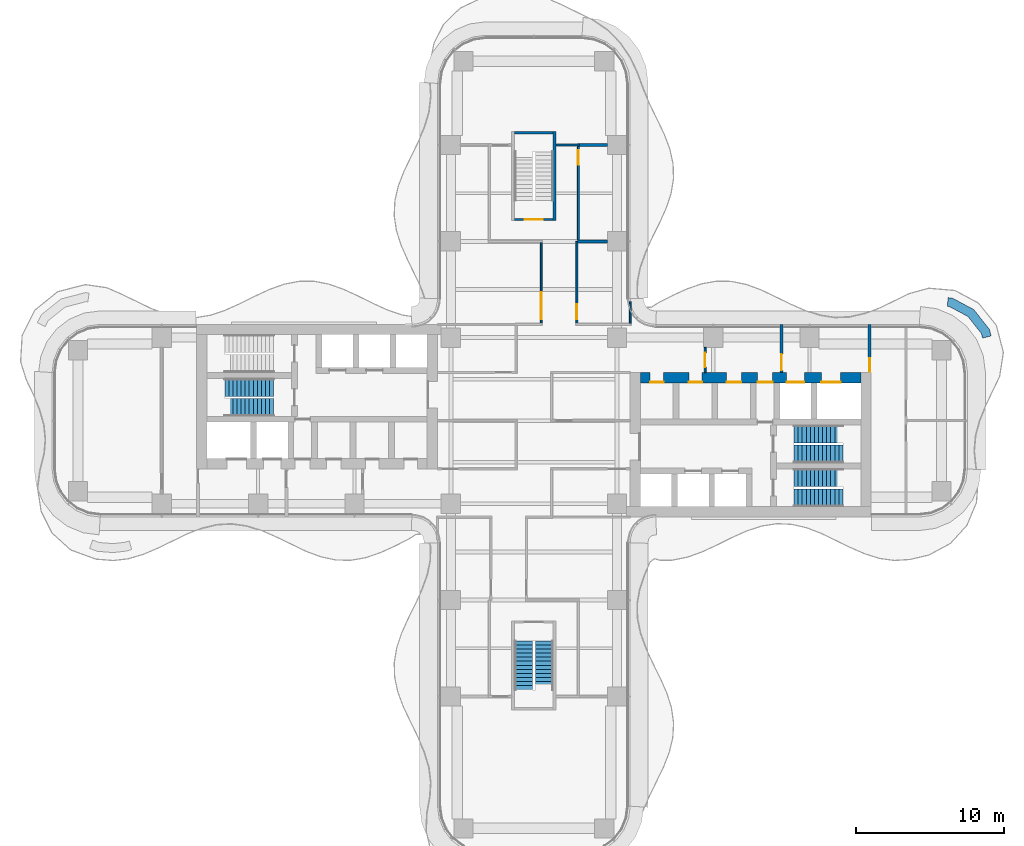
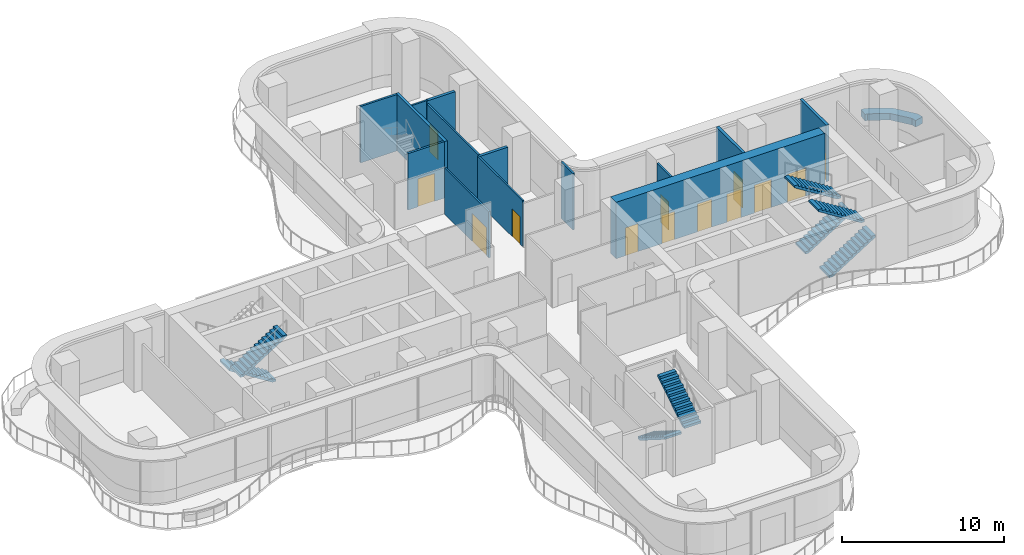
# One storey, part 18 of 21: 15 walls, 13 doors, 8 stair flights, 13 openings, 4 elements without a shape of their own.
"""IFC4 building model written with IfcOpenShell, lengths in metres."""

import ifcopenshell
import ifcopenshell.guid

model = None  # the IFC model being written
_history = None  # IfcOwnerHistory: only IFC2X3 demands one
_inside = {}  # id of a spatial element -> (the spatial element, [elements in it])
_under = {}  # id of a project, library or spatial element -> (it, [spatial elements below it])
_declared = {}  # id of a project -> (the project, [libraries it declares])
_typed = {}  # id of a type object -> (the type object, [elements of that type])
_made_of = {}  # id of a material, layer set ... -> (it, [elements and type objects made of it])


def new_model(schema):
    """Start an empty IFC model of exactly this schema.

    Asked for "IFC4X3", IfcOpenShell would pick the latest addendum, in which some entities
    have other attributes; the version numbers below select the first issue.
    IFC2X3 requires an IfcOwnerHistory on every rooted entity: one is made here for all.
    """
    global model, _history
    if schema == "IFC4X3":
        model = ifcopenshell.file(schema_version=(4, 3, 0, 0))
    else:
        model = ifcopenshell.file(schema=schema)
    _inside.clear()
    _under.clear()
    _declared.clear()
    _typed.clear()
    _made_of.clear()
    _history = None
    if model.schema == "IFC2X3":
        org = make("IfcOrganization", Name="unknown")
        user = make(
            "IfcPersonAndOrganization",
            ThePerson=make("IfcPerson", FamilyName="unknown"),
            TheOrganization=org,
        )
        app = make(
            "IfcApplication",
            ApplicationDeveloper=org,
            Version="unknown",
            ApplicationFullName="unknown",
            ApplicationIdentifier="unknown",
        )
        _history = make(
            "IfcOwnerHistory",
            OwningUser=user,
            OwningApplication=app,
            ChangeAction="ADDED",
            CreationDate=0,
        )
    return model


def make(cls, **values):
    """One entity of the class cls with the attributes given. An attribute that is None is left unset."""
    return model.create_entity(
        cls, **{name: value for name, value in values.items() if value is not None}
    )


def rooted(cls, **values):
    """An entity with a GlobalId (a new one), such as an element, a storey or a relation."""
    return make(cls, GlobalId=ifcopenshell.guid.new(), OwnerHistory=_history, **values)


def si_unit(unit_type, name, prefix=None):
    """IfcSIUnit, for example si_unit("LENGTHUNIT", "METRE", prefix="MILLI")."""
    return make("IfcSIUnit", UnitType=unit_type, Prefix=prefix, Name=name)


def assignment(units):
    """IfcUnitAssignment: the units of a project."""
    return None if units is None else make("IfcUnitAssignment", Units=units)


def point(xyz):
    """IfcCartesianPoint."""
    return None if xyz is None else make("IfcCartesianPoint", Coordinates=xyz)


def direction(xyz):
    """IfcDirection."""
    return None if xyz is None else make("IfcDirection", DirectionRatios=xyz)


def frame(location, z_axis=None, x_axis=None):
    """IfcAxis2Placement3D, a coordinate frame: its origin and axes. An axis left out is left unset."""
    return make(
        "IfcAxis2Placement3D",
        Location=point(location),
        Axis=direction(z_axis),
        RefDirection=direction(x_axis),
    )


def frame_2d(location, x_axis=None):
    """IfcAxis2Placement2D, a coordinate frame in the plane: its origin and x axis."""
    return make(
        "IfcAxis2Placement2D", Location=point(location), RefDirection=direction(x_axis)
    )


def origin():
    """The frame at (0, 0, 0) with its axes left unset."""
    return frame((0.0, 0.0, 0.0))


def place(relative_to, where):
    """IfcLocalPlacement: puts the frame where relative to a parent placement (None: the world)."""
    return make(
        "IfcLocalPlacement", PlacementRelTo=relative_to, RelativePlacement=where
    )


def context(
    kind, dimensions, precision=None, world=None, true_north=None, identifier=None
):
    """IfcGeometricRepresentationContext, for example the 3D "Model" context."""
    return make(
        "IfcGeometricRepresentationContext",
        ContextIdentifier=identifier,
        ContextType=kind,
        CoordinateSpaceDimension=dimensions,
        Precision=precision,
        WorldCoordinateSystem=world,
        TrueNorth=true_north,
    )


def subcontext(parent, identifier, kind, view, scale=None):
    """IfcGeometricRepresentationSubContext, for example "Body" below "Model"."""
    return make(
        "IfcGeometricRepresentationSubContext",
        ContextIdentifier=identifier,
        ContextType=kind,
        ParentContext=parent,
        TargetScale=scale,
        TargetView=view,
    )


def project(units=None, contexts=None):
    """IfcProject with its units and contexts."""
    return rooted(
        "IfcProject",
        Name="project",
        RepresentationContexts=contexts,
        UnitsInContext=assignment(units),
    )


def spatial(cls, under=None, at=None, **own):
    """A site, building, storey or space (cls), placed at a placement, below another one or the project."""
    s = rooted(cls, ObjectPlacement=at, **own)
    if under is not None:
        _under.setdefault(under.id(), (under, []))[1].append(s)
    return s


def polyline(points):
    """IfcPolyline through the points."""
    return make("IfcPolyline", Points=[point(p) for p in points])


def profile(cls, at=None, kind="AREA", **sizes):
    """A parametric profile (cls). Its sizes go by their IFC names, for example OverallWidth=200.0."""
    return make(cls, ProfileType=kind, Position=at, **sizes)


def rectangle(**sizes):
    """IfcRectangleProfileDef."""
    return profile("IfcRectangleProfileDef", **sizes)


def outline(outer, holes=None, kind="AREA"):
    """IfcArbitraryClosedProfileDef: a profile drawn as a closed curve; with holes, ...WithVoids."""
    if holes is None:
        return make("IfcArbitraryClosedProfileDef", ProfileType=kind, OuterCurve=outer)
    return make(
        "IfcArbitraryProfileDefWithVoids",
        ProfileType=kind,
        OuterCurve=outer,
        InnerCurves=holes,
    )


def extrude(swept, where, along, depth):
    """IfcExtrudedAreaSolid: the profile swept, set in the frame where, extruded along a direction by depth."""
    return make(
        "IfcExtrudedAreaSolid",
        SweptArea=swept,
        Position=where,
        ExtrudedDirection=direction(along),
        Depth=depth,
    )


def shape(context_of_items, identifier, shape_type, items):
    """IfcShapeRepresentation: the items that make up one representation, for example the "Body"."""
    return make(
        "IfcShapeRepresentation",
        ContextOfItems=context_of_items,
        RepresentationIdentifier=identifier,
        RepresentationType=shape_type,
        Items=items,
    )


def source(mapping_origin, context_of_items, identifier, shape_type, items):
    """IfcRepresentationMap: a shape defined once, which mapped items show again and again."""
    return make(
        "IfcRepresentationMap",
        MappingOrigin=mapping_origin,
        MappedRepresentation=shape(context_of_items, identifier, shape_type, items),
    )


def transform(
    local_origin,
    x_axis=None,
    y_axis=None,
    z_axis=None,
    scale=None,
    scale2=None,
    scale3=None,
    uniform=True,
):
    """IfcCartesianTransformationOperator3D, or its non-uniform kind. x_axis, y_axis, z_axis: its Axis1, 2, 3."""
    if uniform:
        return make(
            "IfcCartesianTransformationOperator3D",
            Axis1=direction(x_axis),
            Axis2=direction(y_axis),
            LocalOrigin=point(local_origin),
            Scale=scale,
            Axis3=direction(z_axis),
        )
    return make(
        "IfcCartesianTransformationOperator3DnonUniform",
        Axis1=direction(x_axis),
        Axis2=direction(y_axis),
        LocalOrigin=point(local_origin),
        Scale=scale,
        Axis3=direction(z_axis),
        Scale2=scale2,
        Scale3=scale3,
    )


def mapped(mapping_source, mapping_target):
    """IfcMappedItem: shows the shape of a source again, moved by a transform."""
    return make(
        "IfcMappedItem", MappingSource=mapping_source, MappingTarget=mapping_target
    )


def material(Name=None, Category=None):
    """IfcMaterial."""
    return make("IfcMaterial", Name=Name, Category=Category)


def layer(
    of_material, thickness, ventilated=None, Name=None, Category=None, Priority=None
):
    """IfcMaterialLayer: one layer of a wall or slab, of a material (None: an air gap)."""
    return make(
        "IfcMaterialLayer",
        Material=of_material,
        LayerThickness=thickness,
        IsVentilated=ventilated,
        Name=Name,
        Category=Category,
        Priority=Priority,
    )


def layer_set(layers, Name=None):
    """IfcMaterialLayerSet."""
    return make("IfcMaterialLayerSet", MaterialLayers=layers, LayerSetName=Name)


def made_of(thing, what):
    """Note that an element or type object is made of a material, layer set ...; save() writes the relation."""
    if what is not None:
        _made_of.setdefault(what.id(), (what, []))[1].append(thing)
    return thing


def type_object(cls, material=None, **own):
    """A type object (cls), such as IfcWallType, which elements share."""
    return made_of(rooted(cls, **own), material)


def element(
    cls,
    number,
    at=None,
    inside=None,
    cuts=None,
    type_object=None,
    material=None,
    context=None,
    identifier="Body",
    shape_type=None,
    held_by="IfcProductDefinitionShape",
    body=None,
    shapes=None,
    **own,
):
    """One element of the class cls, such as IfcWall. Its Tag is "e" and its number.

    at: its placement. inside: the storey or other place that contains it. cuts: it is an
    opening in that element (IfcRelVoidsElement). A single representation is given by context,
    identifier, shape_type and body (its items); several are given by shapes. held_by: the class
    of the entity that holds the representations. save() writes the other relations.
    """
    e = rooted(cls, Tag="e%d" % number, ObjectPlacement=at, **own)
    if body is not None:
        shapes = [shape(context, identifier, shape_type, body)]
    if shapes is not None:
        e.Representation = make(held_by, Representations=shapes)
    if inside is not None:
        _inside.setdefault(inside.id(), (inside, []))[1].append(e)
    if cuts is not None:
        rooted(
            "IfcRelVoidsElement", RelatingBuildingElement=cuts, RelatedOpeningElement=e
        )
    if type_object is not None:
        _typed.setdefault(type_object.id(), (type_object, []))[1].append(e)
    return made_of(e, material)


def fill(opening, filler):
    """IfcRelFillsElement: the door or window that sits in an opening."""
    return rooted(
        "IfcRelFillsElement",
        RelatingOpeningElement=opening,
        RelatedBuildingElement=filler,
    )


def aggregate(whole, parts):
    """IfcRelAggregates: a whole, such as a stair, and the parts it consists of."""
    return rooted("IfcRelAggregates", RelatingObject=whole, RelatedObjects=parts)


def save(model, path):
    """Write the relations noted so far, then the file.

    IfcRelAggregates (storeys below a building ...), IfcRelContainedInSpatialStructure (elements
    in a storey), IfcRelDefinesByType, IfcRelAssociatesMaterial and IfcRelDeclares: one each for
    every whole, place, type object, material and project.
    """
    for whole, parts in _under.values():
        aggregate(whole, parts)
    for where, things in _inside.values():
        rooted(
            "IfcRelContainedInSpatialStructure",
            RelatedElements=things,
            RelatingStructure=where,
        )
    for kind, things in _typed.values():
        rooted("IfcRelDefinesByType", RelatedObjects=things, RelatingType=kind)
    for what, things in _made_of.values():
        rooted("IfcRelAssociatesMaterial", RelatedObjects=things, RelatingMaterial=what)
    for by, libraries in _declared.values():
        rooted("IfcRelDeclares", RelatingContext=by, RelatedDefinitions=libraries)
    model.write(path)


model = new_model("IFC4")

# Units and contexts
model_context = context("Model", 3, precision=1e-05, world=origin(), true_north=direction((0.0, 1.0)))
body_context = subcontext(model_context, "Body", "Model", "MODEL_VIEW")
ifc_project = project(units=[si_unit("LENGTHUNIT", "METRE"), si_unit("AREAUNIT", "SQUARE_METRE"), si_unit("VOLUMEUNIT", "CUBIC_METRE"), si_unit("PLANEANGLEUNIT", "RADIAN"), si_unit("MASSUNIT", "GRAM", prefix="KILO")], contexts=[model_context])

# Site, building, storey
site_placement = place(None, origin())
site = spatial("IfcSite", under=ifc_project, at=site_placement, CompositionType="ELEMENT")
building_placement = place(site_placement, origin())
building = spatial("IfcBuilding", under=site, at=building_placement, Name="Trellis Farm Tower", CompositionType="ELEMENT")
storey_placement = place(building_placement, frame((0.0, 0.0, 102.0)))
storey = spatial("IfcBuildingStorey", under=building, at=storey_placement, Name="L21", CompositionType="ELEMENT", Elevation=102.0)

# Wall
ifc_material_1 = material(Name="Sandstone faced masonry planter", Category="masonry")
ifc_layer_1 = layer(ifc_material_1, 0.60009765625)
ifc_layer_set_1 = layer_set([ifc_layer_1], Name="PLANTER BED 600")
wall_type_1 = type_object("IfcWallType", Name="PLANTER BED 600", PredefinedType="USERDEFINED", material=ifc_layer_set_1)
placement = place(storey_placement, origin())
element("IfcWall", 1, at=placement, inside=storey, type_object=wall_type_1, Name="PLANTER bed", ObjectType="PLANTER", PredefinedType="USERDEFINED", context=body_context, shape_type="SweptSolid", body=[
    extrude(outline(polyline([(29.673583984375, 7.49853515625), (30.734375, 6.1552734375), (30.843505859375, 5.717041015625), (30.26123046875, 5.572265625), (30.183349609375, 5.885009765625), (29.2802734375, 7.028564453125), (28.0478515625, 7.688232421875), (27.887451171875, 7.70263671875), (27.940673828125, 8.30029296875), (28.22314453125, 8.275146484375), (29.673583984375, 7.49853515625)])), origin(), (0.0, 0.0, 1.0), 0.5),
])

# Wall, opening, door
ifc_material_2 = material(Name="Masonry blockwork", Category="masonry")
ifc_layer_2 = layer(ifc_material_2, 0.199951171875)
ifc_layer_set_2 = layer_set([ifc_layer_2], Name="FIRE LOBBY PARTITION 200 BLOCKWORK")
wall_type_2 = type_object("IfcWallType", Name="FIRE LOBBY PARTITION 200 BLOCKWORK", PredefinedType="PARTITIONING", material=ifc_layer_set_2)
shared_shape_1 = source(origin(), body_context, "Body", "SweptSolid", [
    extrude(rectangle(XDim=3.25, YDim=0.199951171875, at=frame_2d((1.625, 0.0))), origin(), (0.0, 0.0, 1.0), 4.25),
])
wall_2_placement = place(storey_placement, frame((16.699951171875, 3.25, 0.0), z_axis=(0.0, 0.0, 1.0), x_axis=(0.0, 1.0, 0.0)))
wall_2 = element("IfcWall", 2, at=wall_2_placement, inside=storey, type_object=wall_type_2, Name="Fire-fighting lobby partition", PredefinedType="PARTITIONING", context=body_context, shape_type="MappedRepresentation", body=[
    mapped(shared_shape_1, transform((0.0, 0.0, 0.0))),
])
shared_shape_2 = source(origin(), body_context, "Body", "SweptSolid", [
    extrude(rectangle(XDim=1.10009765625, YDim=2.10009765625, at=frame_2d((0.550048828125, 1.050048828125))), frame((0.0, 0.110107421875, 0.0), z_axis=(0.0, -1.0, 0.0), x_axis=(1.0, 0.0, 0.0)), (0.0, 0.0, 1.0), 0.22021484375),
])
opening_1_placement = place(wall_2_placement, frame((0.14990234375, 0.0, 0.0)))
opening_1 = element("IfcOpeningElement", 3, at=opening_1_placement, cuts=wall_2, Name="Opening DC7", PredefinedType="OPENING", context=body_context, shape_type="MappedRepresentation", body=[
    mapped(shared_shape_2, transform((0.0, 0.0, 0.0))),
])
ifc_material_3 = material(Name="Steel", Category="steel")
door_type_1 = type_object("IfcDoorType", Name="CORE FIRE DOOR 1100 X 2100", OperationType="NOTDEFINED", PredefinedType="DOOR", material=ifc_material_3)
shared_shape_3 = source(origin(), body_context, "Body", "SweptSolid", [
    extrude(rectangle(XDim=1.10009765625, YDim=2.10009765625, at=frame_2d((0.550048828125, 1.050048828125))), frame((0.0, 0.02490234375, 0.0), z_axis=(0.0, -1.0, 0.0), x_axis=(1.0, 0.0, 0.0)), (0.0, 0.0, 1.0), 0.050048828125),
])
door_1_placement = place(opening_1_placement, origin())
door_1 = element("IfcDoor", 4, at=door_1_placement, inside=storey, type_object=door_type_1, Name="Core door", OperationType="SINGLE_SWING_RIGHT", OverallHeight=2.10009765625, OverallWidth=1.10009765625, PredefinedType="DOOR", context=body_context, shape_type="MappedRepresentation", body=[
    mapped(shared_shape_3, transform((0.0, 0.0, 0.0))),
])
fill(opening_1, door_1)

wall_3_placement = place(storey_placement, frame((22.64990234375, 3.25, 0.0), z_axis=(0.0, 0.0, 1.0), x_axis=(0.0, 1.0, 0.0)))
wall_3 = element("IfcWall", 5, at=wall_3_placement, inside=storey, type_object=wall_type_2, Name="Fire-fighting lobby partition", PredefinedType="PARTITIONING", context=body_context, shape_type="MappedRepresentation", body=[
    mapped(shared_shape_1, transform((0.0, 0.0, 0.0))),
])
shared_shape_4 = source(origin(), body_context, "Body", "SweptSolid", [
    extrude(rectangle(XDim=0.89990234375, YDim=2.10009765625, at=frame_2d((0.449951171875, 1.050048828125))), frame((0.0, 0.110107421875, 0.0), z_axis=(0.0, -1.0, 0.0), x_axis=(1.0, 0.0, 0.0)), (0.0, 0.0, 1.0), 0.22021484375),
])
opening_2_placement = place(wall_3_placement, frame((0.050048828125, 0.0, 0.0)))
opening_2 = element("IfcOpeningElement", 6, at=opening_2_placement, cuts=wall_3, Name="Opening DC8", PredefinedType="OPENING", context=body_context, shape_type="MappedRepresentation", body=[
    mapped(shared_shape_4, transform((0.0, 0.0, 0.0))),
])
door_type_2 = type_object("IfcDoorType", Name="CORE FIRE DOOR 900 X 2100", OperationType="NOTDEFINED", PredefinedType="DOOR", material=ifc_material_3)
shared_shape_5 = source(origin(), body_context, "Body", "SweptSolid", [
    extrude(rectangle(XDim=0.89990234375, YDim=2.10009765625, at=frame_2d((0.449951171875, 1.050048828125))), frame((0.0, 0.02490234375, 0.0), z_axis=(0.0, -1.0, 0.0), x_axis=(1.0, 0.0, 0.0)), (0.0, 0.0, 1.0), 0.050048828125),
])
door_2_placement = place(opening_2_placement, origin())
door_2 = element("IfcDoor", 7, at=door_2_placement, inside=storey, type_object=door_type_2, Name="Core door", OperationType="SINGLE_SWING_RIGHT", OverallHeight=2.10009765625, OverallWidth=0.89990234375, PredefinedType="DOOR", context=body_context, shape_type="MappedRepresentation", body=[
    mapped(shared_shape_5, transform((0.0, 0.0, 0.0))),
])
fill(opening_2, door_2)

# Wall, openings, doors
ifc_material_4 = material(Name="Concrete C70/85", Category="concrete")
ifc_layer_3 = layer(ifc_material_4, 0.699951171875)
ifc_layer_set_3 = layer_set([ifc_layer_3], Name="CORE OUTER WALL 700 CONCRETE C70/85")
wall_type_3 = type_object("IfcWallType", Name="CORE OUTER WALL 700 CONCRETE C70/85", PredefinedType="SHEAR", material=ifc_layer_set_3)
shared_shape_6 = source(origin(), body_context, "Body", "SweptSolid", [
    extrude(rectangle(XDim=14.85009765625, YDim=0.699951171875, at=frame_2d((7.425048828125, 0.0))), origin(), (0.0, 0.0, 1.0), 4.25),
])
wall_4_placement = place(storey_placement, frame((7.199951171875, 2.89990234375, 0.0), z_axis=(0.0, 0.0, 1.0), x_axis=(1.0, 0.0, 0.0)))
wall_4 = element("IfcWall", 8, at=wall_4_placement, inside=storey, type_object=wall_type_3, Name="Core wall", PredefinedType="SHEAR", context=body_context, shape_type="MappedRepresentation", body=[
    mapped(shared_shape_6, transform((0.0, 0.0, 0.0))),
])
shared_shape_7 = source(origin(), body_context, "Body", "SweptSolid", [
    extrude(rectangle(XDim=1.300048828125, YDim=2.10009765625, at=frame_2d((0.64990234375, 1.050048828125))), frame((0.0, 0.360107421875, 0.0), z_axis=(0.0, -1.0, 0.0), x_axis=(1.0, 0.0, 0.0)), (0.0, 0.0, 1.0), 0.72021484375),
])
opening_3_placement = place(wall_4_placement, frame((12.199951171875, 0.0, 0.0)))
opening_3 = element("IfcOpeningElement", 9, at=opening_3_placement, cuts=wall_4, Name="Opening LD7", PredefinedType="OPENING", context=body_context, shape_type="MappedRepresentation", body=[
    mapped(shared_shape_7, transform((0.0, 0.0, 0.0))),
])
shared_shape_8 = source(origin(), body_context, "Body", "SweptSolid", [
    extrude(rectangle(XDim=1.199951171875, YDim=2.10009765625, at=frame_2d((0.60009765625, 1.050048828125))), frame((0.0, 0.360107421875, 0.0), z_axis=(0.0, -1.0, 0.0), x_axis=(1.0, 0.0, 0.0)), (0.0, 0.0, 1.0), 0.72021484375),
])
opening_4_placement = place(wall_4_placement, frame((9.85009765625, 0.0, 0.0)))
opening_4 = element("IfcOpeningElement", 10, at=opening_4_placement, cuts=wall_4, Name="Opening LD8", PredefinedType="OPENING", context=body_context, shape_type="MappedRepresentation", body=[
    mapped(shared_shape_8, transform((0.0, 0.0, 0.0))),
])
shared_shape_9 = source(origin(), body_context, "Body", "SweptSolid", [
    extrude(rectangle(XDim=1.0, YDim=2.10009765625, at=frame_2d((0.5, 1.050048828125))), frame((0.0, 0.360107421875, 0.0), z_axis=(0.0, -1.0, 0.0), x_axis=(1.0, 0.0, 0.0)), (0.0, 0.0, 1.0), 0.72021484375),
])
opening_5_placement = place(wall_4_placement, frame((7.89990234375, 0.0, 0.0)))
opening_5 = element("IfcOpeningElement", 11, at=opening_5_placement, cuts=wall_4, Name="Opening DC6", PredefinedType="OPENING", context=body_context, shape_type="MappedRepresentation", body=[
    mapped(shared_shape_9, transform((0.0, 0.0, 0.0))),
])
shared_shape_10 = source(origin(), body_context, "Body", "SweptSolid", [
    extrude(rectangle(XDim=0.89990234375, YDim=2.10009765625, at=frame_2d((0.449951171875, 1.050048828125))), frame((0.0, 0.360107421875, 0.0), z_axis=(0.0, -1.0, 0.0), x_axis=(1.0, 0.0, 0.0)), (0.0, 0.0, 1.0), 0.72021484375),
])
opening_6_placement = place(wall_4_placement, frame((0.64990234375, 0.0, 0.0)))
opening_6 = element("IfcOpeningElement", 12, at=opening_6_placement, cuts=wall_4, Name="Opening DC11", PredefinedType="OPENING", context=body_context, shape_type="MappedRepresentation", body=[
    mapped(shared_shape_10, transform((0.0, 0.0, 0.0))),
])
opening_7_placement = place(wall_4_placement, frame((3.25, 0.0, 0.0)))
opening_7 = element("IfcOpeningElement", 13, at=opening_7_placement, cuts=wall_4, Name="Opening DC24", PredefinedType="OPENING", context=body_context, shape_type="MappedRepresentation", body=[
    mapped(shared_shape_10, transform((0.0, 0.0, 0.0))),
])
opening_8_placement = place(wall_4_placement, frame((5.800048828125, 0.0, 0.0)))
opening_8 = element("IfcOpeningElement", 14, at=opening_8_placement, cuts=wall_4, Name="Opening DC37", PredefinedType="OPENING", context=body_context, shape_type="MappedRepresentation", body=[
    mapped(shared_shape_9, transform((0.0, 0.0, 0.0))),
])
door_type_3 = type_object("IfcDoorType", Name="CORE FIRE DOOR 1000 X 2100", OperationType="NOTDEFINED", PredefinedType="DOOR", material=ifc_material_3)
shared_shape_11 = source(origin(), body_context, "Body", "SweptSolid", [
    extrude(rectangle(XDim=1.0, YDim=2.10009765625, at=frame_2d((0.5, 1.050048828125))), frame((0.0, -0.27490234375, 0.0), z_axis=(0.0, -1.0, 0.0), x_axis=(1.0, 0.0, 0.0)), (0.0, 0.0, 1.0), 0.050048828125),
])
door_3_placement = place(opening_5_placement, origin())
door_3 = element("IfcDoor", 15, at=door_3_placement, inside=storey, type_object=door_type_3, Name="Core door", OperationType="SINGLE_SWING_LEFT", OverallHeight=2.10009765625, OverallWidth=1.0, PredefinedType="DOOR", context=body_context, shape_type="MappedRepresentation", body=[
    mapped(shared_shape_11, transform((0.0, 0.0, 0.0))),
])
fill(opening_5, door_3)
door_4_placement = place(opening_8_placement, origin())
door_4 = element("IfcDoor", 16, at=door_4_placement, inside=storey, type_object=door_type_3, Name="Core door", OperationType="SINGLE_SWING_LEFT", OverallHeight=2.10009765625, OverallWidth=1.0, PredefinedType="DOOR", context=body_context, shape_type="MappedRepresentation", body=[
    mapped(shared_shape_11, transform((0.0, 0.0, 0.0))),
])
fill(opening_8, door_4)
shared_shape_12 = source(origin(), body_context, "Body", "SweptSolid", [
    extrude(rectangle(XDim=0.89990234375, YDim=2.10009765625, at=frame_2d((0.449951171875, 1.050048828125))), frame((0.0, -0.27490234375, 0.0), z_axis=(0.0, -1.0, 0.0), x_axis=(1.0, 0.0, 0.0)), (0.0, 0.0, 1.0), 0.050048828125),
])
door_5_placement = place(opening_6_placement, origin())
door_5 = element("IfcDoor", 17, at=door_5_placement, inside=storey, type_object=door_type_2, Name="Core door", OperationType="SINGLE_SWING_LEFT", OverallHeight=2.10009765625, OverallWidth=0.89990234375, PredefinedType="DOOR", context=body_context, shape_type="MappedRepresentation", body=[
    mapped(shared_shape_12, transform((0.0, 0.0, 0.0))),
])
fill(opening_6, door_5)
door_6_placement = place(opening_7_placement, origin())
door_6 = element("IfcDoor", 18, at=door_6_placement, inside=storey, type_object=door_type_2, Name="Core door", OperationType="SINGLE_SWING_RIGHT", OverallHeight=2.10009765625, OverallWidth=0.89990234375, PredefinedType="DOOR", context=body_context, shape_type="MappedRepresentation", body=[
    mapped(shared_shape_12, transform((0.0, 0.0, 0.0))),
])
fill(opening_7, door_6)
ifc_material_5 = material(Name="Stainless steel", Category="steel")
door_type_4 = type_object("IfcDoorType", Name="LIFT LANDING DOOR 1300 X 2100", OperationType="DOUBLE_DOOR_SLIDING", PredefinedType="DOOR", material=ifc_material_5)
shared_shape_13 = source(origin(), body_context, "Body", "SweptSolid", [
    extrude(rectangle(XDim=1.300048828125, YDim=2.10009765625, at=frame_2d((0.64990234375, 1.050048828125))), frame((0.0, -0.27490234375, 0.0), z_axis=(0.0, -1.0, 0.0), x_axis=(1.0, 0.0, 0.0)), (0.0, 0.0, 1.0), 0.050048828125),
])
door_7_placement = place(opening_3_placement, origin())
door_7 = element("IfcDoor", 19, at=door_7_placement, inside=storey, type_object=door_type_4, Name="Lift landing door", OperationType="DOUBLE_DOOR_SLIDING", OverallHeight=2.10009765625, OverallWidth=1.300048828125, PredefinedType="DOOR", context=body_context, shape_type="MappedRepresentation", body=[
    mapped(shared_shape_13, transform((0.0, 0.0, 0.0))),
])
fill(opening_3, door_7)
door_type_5 = type_object("IfcDoorType", Name="LIFT LANDING DOOR 1200 X 2100", OperationType="DOUBLE_DOOR_SLIDING", PredefinedType="DOOR", material=ifc_material_5)
shared_shape_14 = source(origin(), body_context, "Body", "SweptSolid", [
    extrude(rectangle(XDim=1.199951171875, YDim=2.10009765625, at=frame_2d((0.60009765625, 1.050048828125))), frame((0.0, -0.27490234375, 0.0), z_axis=(0.0, -1.0, 0.0), x_axis=(1.0, 0.0, 0.0)), (0.0, 0.0, 1.0), 0.050048828125),
])
door_8_placement = place(opening_4_placement, origin())
door_8 = element("IfcDoor", 20, at=door_8_placement, inside=storey, type_object=door_type_5, Name="Lift landing door", OperationType="DOUBLE_DOOR_SLIDING", OverallHeight=2.10009765625, OverallWidth=1.199951171875, PredefinedType="DOOR", context=body_context, shape_type="MappedRepresentation", body=[
    mapped(shared_shape_14, transform((0.0, 0.0, 0.0))),
])
fill(opening_4, door_8)

# Wall
ifc_layer_4 = layer(ifc_material_4, 0.199951171875)
ifc_layer_set_4 = layer_set([ifc_layer_4], Name="CORE STAIR ENCLOSURE WALL 200 CONCRETE C70/85")
wall_type_4 = type_object("IfcWallType", Name="CORE STAIR ENCLOSURE WALL 200 CONCRETE C70/85", PredefinedType="SHEAR", material=ifc_layer_set_4)
shared_shape_15 = source(origin(), body_context, "Body", "SweptSolid", [
    extrude(rectangle(XDim=6.0, YDim=0.199951171875, at=frame_2d((3.0, 0.0))), origin(), (0.0, 0.0, 1.0), 4.25),
])
wall_5_placement = place(storey_placement, frame((1.39990234375, 13.5, 0.0), z_axis=(0.0, 0.0, 1.0), x_axis=(0.0, 1.0, 0.0)))
element("IfcWall", 21, at=wall_5_placement, inside=storey, type_object=wall_type_4, Name="Stair enclosure wall", PredefinedType="SHEAR", context=body_context, shape_type="MappedRepresentation", body=[
    mapped(shared_shape_15, transform((0.0, 0.0, 0.0))),
])

# Wall, opening, door
ifc_layer_5 = layer(ifc_material_4, 0.14990234375)
ifc_layer_set_5 = layer_set([ifc_layer_5], Name="CORE STAIR ENCLOSURE WALL 150 CONCRETE C70/85")
wall_type_5 = type_object("IfcWallType", Name="CORE STAIR ENCLOSURE WALL 150 CONCRETE C70/85", PredefinedType="SHEAR", material=ifc_layer_set_5)
shared_shape_16 = source(origin(), body_context, "Body", "SweptSolid", [
    extrude(rectangle(XDim=2.60009765625, YDim=0.14990234375, at=frame_2d((1.300048828125, 0.0))), origin(), (0.0, 0.0, 1.0), 4.25),
])
wall_6_placement = place(storey_placement, frame((-1.300048828125, 13.574951171875, 0.0), z_axis=(0.0, 0.0, 1.0), x_axis=(1.0, 0.0, 0.0)))
wall_6 = element("IfcWall", 22, at=wall_6_placement, inside=storey, type_object=wall_type_5, Name="Stair enclosure wall", PredefinedType="SHEAR", context=body_context, shape_type="MappedRepresentation", body=[
    mapped(shared_shape_16, transform((0.0, 0.0, 0.0))),
])
shared_shape_17 = source(origin(), body_context, "Body", "SweptSolid", [
    extrude(rectangle(XDim=1.199951171875, YDim=2.10009765625, at=frame_2d((0.60009765625, 1.050048828125))), frame((0.0, 0.0849609375, 0.0), z_axis=(0.0, -1.0, 0.0), x_axis=(1.0, 0.0, 0.0)), (0.0, 0.0, 1.0), 0.169921875),
])
opening_9_placement = place(wall_6_placement, frame((0.699951171875, 0.0, 0.0)))
opening_9 = element("IfcOpeningElement", 23, at=opening_9_placement, cuts=wall_6, Name="Opening DC173", PredefinedType="OPENING", context=body_context, shape_type="MappedRepresentation", body=[
    mapped(shared_shape_17, transform((0.0, 0.0, 0.0))),
])
door_type_6 = type_object("IfcDoorType", Name="CORE FIRE DOOR 1200 X 2100", OperationType="NOTDEFINED", PredefinedType="DOOR", material=ifc_material_3)
shared_shape_18 = source(origin(), body_context, "Body", "SweptSolid", [
    extrude(rectangle(XDim=1.199951171875, YDim=2.10009765625, at=frame_2d((0.60009765625, 1.050048828125))), frame((0.0, 0.02490234375, 0.0), z_axis=(0.0, -1.0, 0.0), x_axis=(1.0, 0.0, 0.0)), (0.0, 0.0, 1.0), 0.050048828125),
])
door_9_placement = place(opening_9_placement, origin())
door_9 = element("IfcDoor", 24, at=door_9_placement, inside=storey, type_object=door_type_6, Name="Core door", OperationType="SINGLE_SWING_LEFT", OverallHeight=2.10009765625, OverallWidth=1.199951171875, PredefinedType="DOOR", context=body_context, shape_type="MappedRepresentation", body=[
    mapped(shared_shape_18, transform((0.0, 0.0, 0.0))),
])
fill(opening_9, door_9)

# Wall
wall_7_placement = place(storey_placement, frame((-1.300048828125, 19.425048828125, 0.0), z_axis=(0.0, 0.0, 1.0), x_axis=(1.0, 0.0, 0.0)))
element("IfcWall", 25, at=wall_7_placement, inside=storey, type_object=wall_type_5, Name="Stair enclosure wall", PredefinedType="SHEAR", context=body_context, shape_type="MappedRepresentation", body=[
    mapped(shared_shape_16, transform((0.0, 0.0, 0.0))),
])

# Wall, opening, door
ifc_material_6 = material(Name="Plasterboard on steel studs, mineral wool", Category="steel")
ifc_layer_6 = layer(ifc_material_6, 0.125)
ifc_layer_set_6 = layer_set([ifc_layer_6], Name="PARTITION 125 STUD EI 60")
wall_type_6 = type_object("IfcWallType", Name="PARTITION 125 STUD EI 60", PredefinedType="PARTITIONING", material=ifc_layer_set_6)
shared_shape_19 = source(origin(), body_context, "Body", "SweptSolid", [
    extrude(rectangle(XDim=5.47509765625, YDim=0.125, at=frame_2d((2.737548828125, 0.0))), origin(), (0.0, 0.0, 1.0), 3.4677734375),
])
wall_8_placement = place(storey_placement, frame((0.5, 12.03759765625, 0.0), z_axis=(0.0, 0.0, 1.0), x_axis=(0.0, -1.0, 0.0)))
wall_8 = element("IfcWall", 26, at=wall_8_placement, inside=storey, type_object=wall_type_6, Name="Partition PW1", PredefinedType="PARTITIONING", context=body_context, shape_type="MappedRepresentation", body=[
    mapped(shared_shape_19, transform((0.0, 0.0, 0.0))),
])
shared_shape_20 = source(origin(), body_context, "Body", "SweptSolid", [
    extrude(rectangle(XDim=1.800048828125, YDim=2.10009765625, at=frame_2d((0.89990234375, 1.050048828125))), frame((0.0, 0.072509765625, 0.0), z_axis=(0.0, -1.0, 0.0), x_axis=(1.0, 0.0, 0.0)), (0.0, 0.0, 1.0), 0.14501953125),
])
opening_10_placement = place(wall_8_placement, frame((3.387451171875, 0.0, 0.0)))
opening_10 = element("IfcOpeningElement", 27, at=opening_10_placement, cuts=wall_8, Name="Opening D201", PredefinedType="OPENING", context=body_context, shape_type="MappedRepresentation", body=[
    mapped(shared_shape_20, transform((0.0, 0.0, 0.0))),
])
ifc_material_7 = material(Name="Fire-rated timber door leaf in a hollow metal frame", Category="wood")
door_type_7 = type_object("IfcDoorType", Name="DOOR PAIR 1800x2100 FD30S", OperationType="NOTDEFINED", PredefinedType="DOOR", material=ifc_material_7)
shared_shape_21 = source(origin(), body_context, "Body", "SweptSolid", [
    extrude(rectangle(XDim=1.800048828125, YDim=2.10009765625, at=frame_2d((0.89990234375, 1.050048828125))), frame((0.0, 0.02490234375, 0.0), z_axis=(0.0, -1.0, 0.0), x_axis=(1.0, 0.0, 0.0)), (0.0, 0.0, 1.0), 0.050048828125),
])
door_10_placement = place(opening_10_placement, origin())
door_10 = element("IfcDoor", 28, at=door_10_placement, inside=storey, type_object=door_type_7, Name="Door D201", OperationType="DOUBLE_DOOR_SINGLE_SWING", OverallHeight=2.10009765625, OverallWidth=1.800048828125, PredefinedType="DOOR", context=body_context, shape_type="MappedRepresentation", body=[
    mapped(shared_shape_21, transform((0.0, 0.0, 0.0))),
])
fill(opening_10, door_10)

# Wall
shared_shape_22 = source(origin(), body_context, "Body", "SweptSolid", [
    extrude(rectangle(XDim=1.468994140625, YDim=0.125, at=frame_2d((0.734375, 0.0))), origin(), (0.0, 0.0, 1.0), 4.25),
])
wall_9_placement = place(storey_placement, frame((6.5, 6.5625, 0.0), z_axis=(0.0, 0.0, 1.0), x_axis=(0.0, 1.0, 0.0)))
element("IfcWall", 29, at=wall_9_placement, inside=storey, type_object=wall_type_6, Name="Partition PW1", PredefinedType="PARTITIONING", context=body_context, shape_type="MappedRepresentation", body=[
    mapped(shared_shape_22, transform((0.0, 0.0, 0.0))),
])

# Wall, opening, door
shared_shape_23 = source(origin(), body_context, "Body", "SweptSolid", [
    extrude(rectangle(XDim=6.300048828125, YDim=0.125, at=frame_2d((3.14990234375, 0.0))), origin(), (0.0, 0.0, 1.0), 3.4677734375),
])
wall_10_placement = place(storey_placement, frame((3.0, 18.5, 0.0), z_axis=(0.0, 0.0, 1.0), x_axis=(0.0, -1.0, 0.0)))
wall_10 = element("IfcWall", 30, at=wall_10_placement, inside=storey, type_object=wall_type_6, Name="Partition PW1", PredefinedType="PARTITIONING", context=body_context, shape_type="MappedRepresentation", body=[
    mapped(shared_shape_23, transform((0.0, 0.0, 0.0))),
])
shared_shape_24 = source(origin(), body_context, "Body", "SweptSolid", [
    extrude(rectangle(XDim=1.0, YDim=2.10009765625, at=frame_2d((0.5, 1.050048828125))), frame((0.0, 0.072509765625, 0.0), z_axis=(0.0, -1.0, 0.0), x_axis=(1.0, 0.0, 0.0)), (0.0, 0.0, 1.0), 0.14501953125),
])
opening_11_placement = place(wall_10_placement, frame((0.25, 0.0, 0.0)))
opening_11 = element("IfcOpeningElement", 31, at=opening_11_placement, cuts=wall_10, Name="Opening D304", PredefinedType="OPENING", context=body_context, shape_type="MappedRepresentation", body=[
    mapped(shared_shape_24, transform((0.0, 0.0, 0.0))),
])
door_type_8 = type_object("IfcDoorType", Name="DOOR 1000x2100 FD60", OperationType="NOTDEFINED", PredefinedType="DOOR", material=ifc_material_7)
shared_shape_25 = source(origin(), body_context, "Body", "SweptSolid", [
    extrude(rectangle(XDim=1.0, YDim=2.10009765625, at=frame_2d((0.5, 1.050048828125))), frame((0.0, 0.02490234375, 0.0), z_axis=(0.0, -1.0, 0.0), x_axis=(1.0, 0.0, 0.0)), (0.0, 0.0, 1.0), 0.050048828125),
])
door_11_placement = place(opening_11_placement, origin())
door_11 = element("IfcDoor", 32, at=door_11_placement, inside=storey, type_object=door_type_8, Name="Door D304", OperationType="SINGLE_SWING_LEFT", OverallHeight=2.10009765625, OverallWidth=1.0, PredefinedType="DOOR", context=body_context, shape_type="MappedRepresentation", body=[
    mapped(shared_shape_25, transform((0.0, 0.0, 0.0))),
])
fill(opening_11, door_11)

# Wall
shared_shape_26 = source(origin(), body_context, "Body", "SweptSolid", [
    extrude(rectangle(XDim=1.5625, YDim=0.125, at=frame_2d((0.78125, 0.0))), origin(), (0.0, 0.0, 1.0), 3.697021484375),
])
wall_11_placement = place(storey_placement, frame((1.5, 18.60009765625, 0.0), z_axis=(0.0, 0.0, 1.0), x_axis=(1.0, 0.0, 0.0)))
element("IfcWall", 33, at=wall_11_placement, inside=storey, type_object=wall_type_6, Name="Partition PW1", PredefinedType="PARTITIONING", context=body_context, shape_type="MappedRepresentation", body=[
    mapped(shared_shape_26, transform((0.0, 0.0, 0.0))),
])

# Wall, opening, door
shared_shape_27 = source(origin(), body_context, "Body", "SweptSolid", [
    extrude(rectangle(XDim=5.53759765625, YDim=0.125, at=frame_2d((2.768798828125, 0.0))), origin(), (0.0, 0.0, 1.0), 3.4677734375),
])
wall_12_placement = place(storey_placement, frame((2.89990234375, 12.10009765625, 0.0), z_axis=(0.0, 0.0, 1.0), x_axis=(0.0, -1.0, 0.0)))
wall_12 = element("IfcWall", 34, at=wall_12_placement, inside=storey, type_object=wall_type_6, Name="Partition PW1", PredefinedType="PARTITIONING", context=body_context, shape_type="MappedRepresentation", body=[
    mapped(shared_shape_27, transform((0.0, 0.0, 0.0))),
])
opening_12_placement = place(wall_12_placement, frame((4.25, 0.0, 0.0)))
opening_12 = element("IfcOpeningElement", 35, at=opening_12_placement, cuts=wall_12, Name="Opening D109", PredefinedType="OPENING", context=body_context, shape_type="MappedRepresentation", body=[
    mapped(shared_shape_24, transform((0.0, 0.0, 0.0))),
])
door_type_9 = type_object("IfcDoorType", Name="DOOR 1000x2100 FD30S", OperationType="NOTDEFINED", PredefinedType="DOOR", material=ifc_material_7)
door_12_placement = place(opening_12_placement, origin())
door_12 = element("IfcDoor", 36, at=door_12_placement, inside=storey, type_object=door_type_9, Name="Door D109", OperationType="SINGLE_SWING_RIGHT", OverallHeight=2.10009765625, OverallWidth=1.0, PredefinedType="DOOR", context=body_context, shape_type="MappedRepresentation", body=[
    mapped(shared_shape_25, transform((0.0, 0.0, 0.0))),
])
fill(opening_12, door_12)

shared_shape_28 = source(origin(), body_context, "Body", "SweptSolid", [
    extrude(rectangle(XDim=1.699951171875, YDim=0.125, at=frame_2d((0.85009765625, 0.0))), origin(), (0.0, 0.0, 1.0), 4.25),
])
wall_13_placement = place(storey_placement, frame((11.550048828125, 3.25, 0.0), z_axis=(0.0, 0.0, 1.0), x_axis=(0.0, 1.0, 0.0)))
wall_13 = element("IfcWall", 37, at=wall_13_placement, inside=storey, type_object=wall_type_6, Name="Partition PW1", PredefinedType="PARTITIONING", context=body_context, shape_type="MappedRepresentation", body=[
    mapped(shared_shape_28, transform((0.0, 0.0, 0.0))),
])
opening_13_placement = place(wall_13_placement, frame((0.35009765625, 0.0, 0.0)))
opening_13 = element("IfcOpeningElement", 38, at=opening_13_placement, cuts=wall_13, Name="Opening D303", PredefinedType="OPENING", context=body_context, shape_type="MappedRepresentation", body=[
    mapped(shared_shape_24, transform((0.0, 0.0, 0.0))),
])
door_13_placement = place(opening_13_placement, origin())
door_13 = element("IfcDoor", 39, at=door_13_placement, inside=storey, type_object=door_type_8, Name="Door D303", OperationType="SINGLE_SWING_LEFT", OverallHeight=2.10009765625, OverallWidth=1.0, PredefinedType="DOOR", context=body_context, shape_type="MappedRepresentation", body=[
    mapped(shared_shape_25, transform((0.0, 0.0, 0.0))),
])
fill(opening_13, door_13)

# Walls
ifc_material_8 = material(Name="Lightweight blockwork, plastered", Category="masonry")
ifc_layer_7 = layer(ifc_material_8, 0.199951171875)
ifc_layer_set_7 = layer_set([ifc_layer_7], Name="BLOCK WALL 200 EI 120")
wall_type_7 = type_object("IfcWallType", Name="BLOCK WALL 200 EI 120", PredefinedType="PARTITIONING", material=ifc_layer_set_7)
shared_shape_29 = source(origin(), body_context, "Body", "SweptSolid", [
    extrude(rectangle(XDim=2.012451171875, YDim=0.199951171875, at=frame_2d((1.00634765625, 0.0))), origin(), (0.0, 0.0, 1.0), 3.697021484375),
])
wall_14_placement = place(storey_placement, frame((2.9375, 18.60009765625, 0.0), z_axis=(0.0, 0.0, 1.0), x_axis=(1.0, 0.0, 0.0)))
element("IfcWall", 40, at=wall_14_placement, inside=storey, type_object=wall_type_7, Name="Partition PW3", PredefinedType="PARTITIONING", context=body_context, shape_type="MappedRepresentation", body=[
    mapped(shared_shape_29, transform((0.0, 0.0, 0.0))),
])
shared_shape_30 = source(origin(), body_context, "Body", "SweptSolid", [
    extrude(rectangle(XDim=2.012451171875, YDim=0.199951171875, at=frame_2d((1.00634765625, 0.0))), origin(), (0.0, 0.0, 1.0), 3.4677734375),
])
wall_15_placement = place(storey_placement, frame((2.9375, 12.10009765625, 0.0), z_axis=(0.0, 0.0, 1.0), x_axis=(1.0, 0.0, 0.0)))
element("IfcWall", 41, at=wall_15_placement, inside=storey, type_object=wall_type_7, Name="Partition PW3", PredefinedType="PARTITIONING", context=body_context, shape_type="MappedRepresentation", body=[
    mapped(shared_shape_30, transform((0.0, 0.0, 0.0))),
])

# Stair, stair flights
ifc_material_9 = material(Name="Concrete C50/60", Category="concrete")
stair_type = type_object("IfcStairType", Name="CORE EXIT STAIR 26 RISERS 173 MM", PredefinedType="HALF_TURN_STAIR", material=ifc_material_9)
stair_1 = element("IfcStair", 42, at=placement, inside=storey, type_object=stair_type, Name="Exit stair S", PredefinedType="HALF_TURN_STAIR")
stair_flight_type = type_object("IfcStairFlightType", Name="STAIR FLIGHT 13 RISERS 173 MM", PredefinedType="STRAIGHT", material=ifc_material_9)
shared_shape_31 = source(origin(), body_context, "Body", "SweptSolid", [
    extrude(outline(polyline([(0.0, 0.0), (0.0, 0.173095703125), (0.27490234375, 0.173095703125), (0.27490234375, 0.34619140625), (0.550048828125, 0.34619140625), (0.550048828125, 0.519287109375), (0.824951171875, 0.519287109375), (0.824951171875, 0.6923828125), (1.10009765625, 0.6923828125), (1.10009765625, 0.865478515625), (1.375, 0.865478515625), (1.375, 1.03857421875), (1.64990234375, 1.03857421875), (1.64990234375, 1.21142578125), (1.925048828125, 1.21142578125), (1.925048828125, 1.384521484375), (2.199951171875, 1.384521484375), (2.199951171875, 1.5576171875), (2.47509765625, 1.5576171875), (2.47509765625, 1.730712890625), (2.75, 1.730712890625), (2.75, 1.90380859375), (3.02490234375, 1.90380859375), (3.02490234375, 2.076904296875), (3.300048828125, 2.076904296875), (3.300048828125, 2.25), (3.300048828125, 1.92333984375), (0.243896484375, 0.0), (0.0, 0.0)])), frame((0.0, 0.60009765625, 0.0), z_axis=(0.0, -1.0, 0.0), x_axis=(1.0, 0.0, 0.0)), (0.0, 0.0, 1.0), 1.199951171875),
])
stair_flight_1_placement = place(storey_placement, frame((-0.699951171875, -14.85009765625, 0.0), z_axis=(0.0, 0.0, 1.0), x_axis=(0.0, -1.0, 0.0)))
stair_flight_1 = element("IfcStairFlight", 43, at=stair_flight_1_placement, type_object=stair_flight_type, Name="STS flight 1", NumberOfRisers=13, NumberOfTreads=12, PredefinedType="STRAIGHT", RiserHeight=0.173076923, TreadLength=0.275, context=body_context, shape_type="MappedRepresentation", body=[
    mapped(shared_shape_31, transform((0.0, 0.0, 0.0))),
])
stair_flight_2_placement = place(storey_placement, frame((0.699951171875, -18.14990234375, 2.25), z_axis=(0.0, 0.0, 1.0), x_axis=(0.0, 1.0, 0.0)))
stair_flight_2 = element("IfcStairFlight", 44, at=stair_flight_2_placement, type_object=stair_flight_type, Name="STS flight 2", NumberOfRisers=13, NumberOfTreads=12, PredefinedType="STRAIGHT", RiserHeight=0.173076923, TreadLength=0.275, context=body_context, shape_type="MappedRepresentation", body=[
    mapped(shared_shape_31, transform((0.0, 0.0, 0.0))),
])
aggregate(stair_1, [stair_flight_1, stair_flight_2])

stair_2 = element("IfcStair", 45, at=placement, inside=storey, type_object=stair_type, Name="Exit stair E1", PredefinedType="HALF_TURN_STAIR")
stair_flight_3_placement = place(storey_placement, frame((17.550048828125, -5.199951171875, 0.0), z_axis=(0.0, 0.0, 1.0), x_axis=(1.0, 0.0, 0.0)))
stair_flight_3 = element("IfcStairFlight", 46, at=stair_flight_3_placement, type_object=stair_flight_type, Name="STE1 flight 1", NumberOfRisers=13, NumberOfTreads=12, PredefinedType="STRAIGHT", RiserHeight=0.173076923, TreadLength=0.275, context=body_context, shape_type="MappedRepresentation", body=[
    mapped(shared_shape_31, transform((0.0, 0.0, 0.0))),
])
stair_flight_4_placement = place(storey_placement, frame((20.85009765625, -3.85009765625, 2.25), z_axis=(0.0, 0.0, 1.0), x_axis=(-1.0, 0.0, 0.0)))
stair_flight_4 = element("IfcStairFlight", 47, at=stair_flight_4_placement, type_object=stair_flight_type, Name="STE1 flight 2", NumberOfRisers=13, NumberOfTreads=12, PredefinedType="STRAIGHT", RiserHeight=0.173076923, TreadLength=0.275, context=body_context, shape_type="MappedRepresentation", body=[
    mapped(shared_shape_31, transform((0.0, 0.0, 0.0))),
])
aggregate(stair_2, [stair_flight_3, stair_flight_4])

stair_3 = element("IfcStair", 48, at=placement, inside=storey, type_object=stair_type, Name="Exit stair E2", PredefinedType="HALF_TURN_STAIR")
stair_flight_5_placement = place(storey_placement, frame((17.550048828125, -2.25, 0.0), z_axis=(0.0, 0.0, 1.0), x_axis=(1.0, 0.0, 0.0)))
stair_flight_5 = element("IfcStairFlight", 49, at=stair_flight_5_placement, type_object=stair_flight_type, Name="STE2 flight 1", NumberOfRisers=13, NumberOfTreads=12, PredefinedType="STRAIGHT", RiserHeight=0.173076923, TreadLength=0.275, context=body_context, shape_type="MappedRepresentation", body=[
    mapped(shared_shape_31, transform((0.0, 0.0, 0.0))),
])
stair_flight_6_placement = place(storey_placement, frame((20.85009765625, -0.89990234375, 2.25), z_axis=(0.0, 0.0, 1.0), x_axis=(-1.0, 0.0, 0.0)))
stair_flight_6 = element("IfcStairFlight", 50, at=stair_flight_6_placement, type_object=stair_flight_type, Name="STE2 flight 2", NumberOfRisers=13, NumberOfTreads=12, PredefinedType="STRAIGHT", RiserHeight=0.173076923, TreadLength=0.275, context=body_context, shape_type="MappedRepresentation", body=[
    mapped(shared_shape_31, transform((0.0, 0.0, 0.0))),
])
aggregate(stair_3, [stair_flight_5, stair_flight_6])

stair_4 = element("IfcStair", 51, at=placement, inside=storey, type_object=stair_type, Name="Exit stair W2", PredefinedType="HALF_TURN_STAIR")
stair_flight_7_placement = place(storey_placement, frame((-17.550048828125, 2.25, 0.0), z_axis=(0.0, 0.0, 1.0), x_axis=(-1.0, 0.0, 0.0)))
stair_flight_7 = element("IfcStairFlight", 52, at=stair_flight_7_placement, type_object=stair_flight_type, Name="STW2 flight 1", NumberOfRisers=13, NumberOfTreads=12, PredefinedType="STRAIGHT", RiserHeight=0.173076923, TreadLength=0.275, context=body_context, shape_type="MappedRepresentation", body=[
    mapped(shared_shape_31, transform((0.0, 0.0, 0.0))),
])
stair_flight_8_placement = place(storey_placement, frame((-20.85009765625, 0.89990234375, 2.25), z_axis=(0.0, 0.0, 1.0), x_axis=(1.0, 0.0, 0.0)))
stair_flight_8 = element("IfcStairFlight", 53, at=stair_flight_8_placement, type_object=stair_flight_type, Name="STW2 flight 2", NumberOfRisers=13, NumberOfTreads=12, PredefinedType="STRAIGHT", RiserHeight=0.173076923, TreadLength=0.275, context=body_context, shape_type="MappedRepresentation", body=[
    mapped(shared_shape_31, transform((0.0, 0.0, 0.0))),
])
aggregate(stair_4, [stair_flight_7, stair_flight_8])

save(model, "model.ifc")
